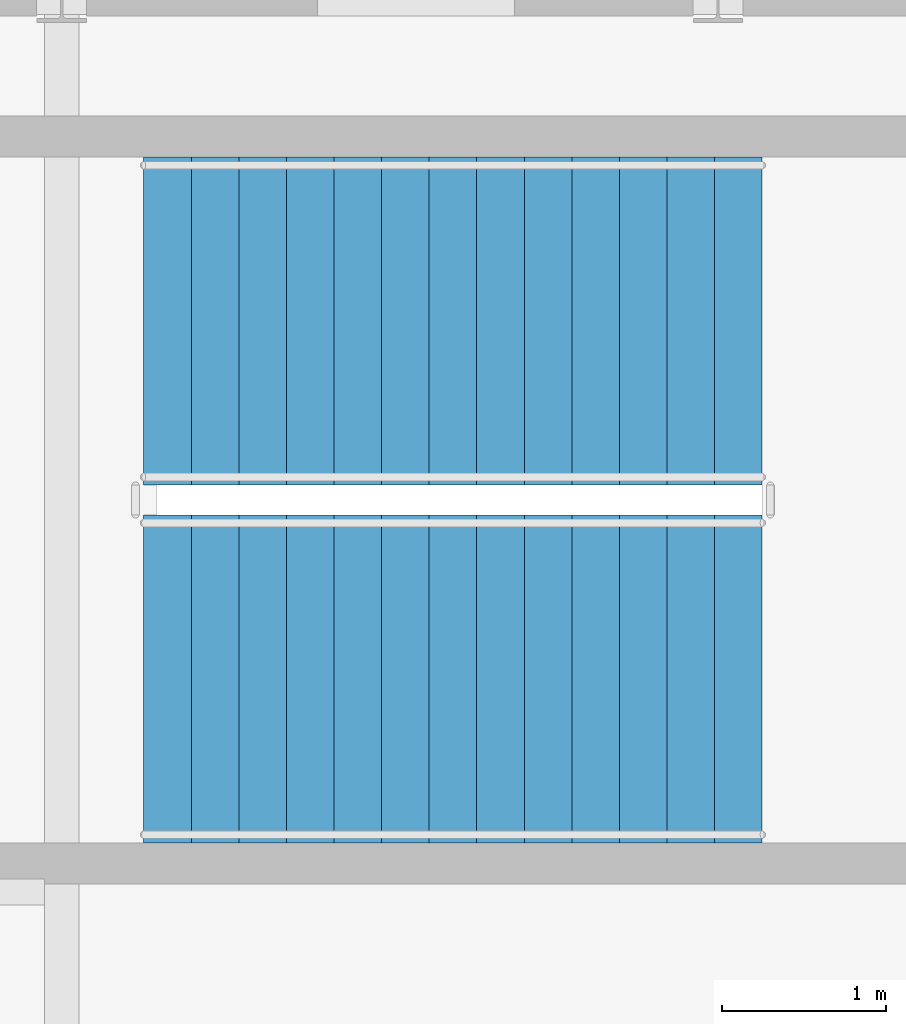
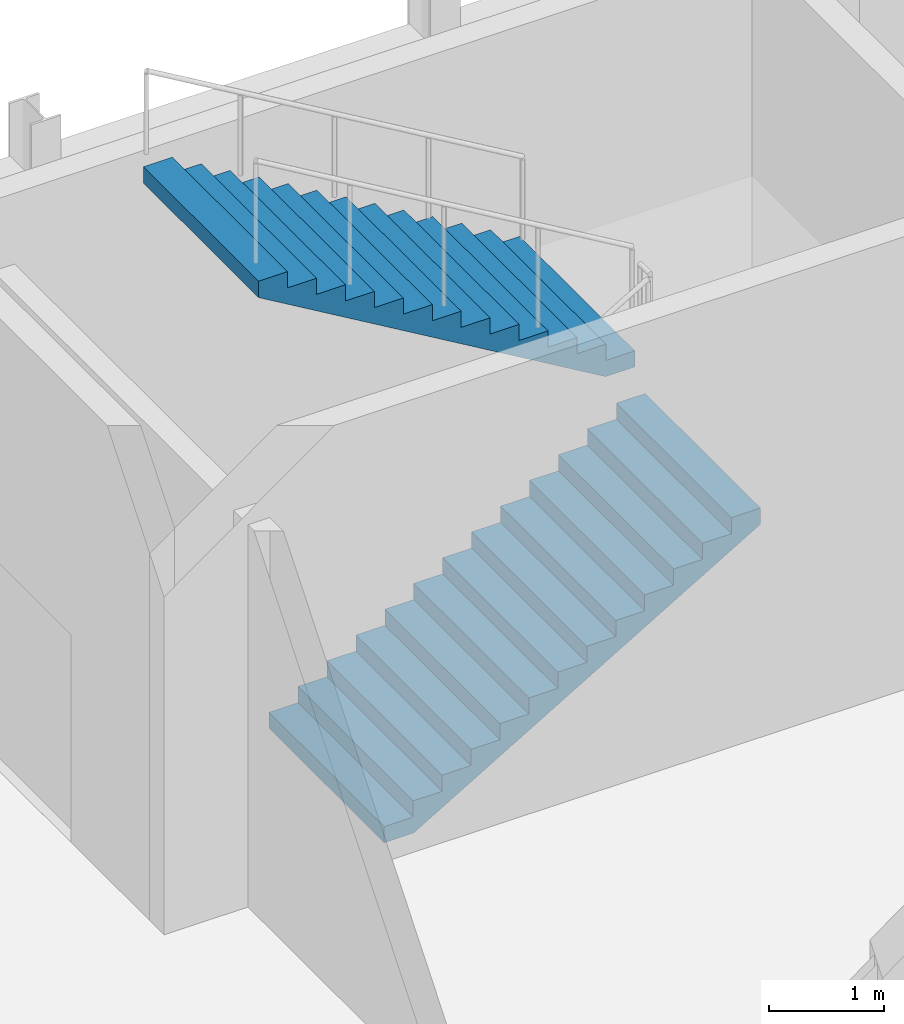
# One storey, part 85 of 101: 2 stair flights, 1 element without a shape of its own.
"""IFC4 building model written with IfcOpenShell, lengths in metres."""

from ifc_helpers import new_model, si_unit, derived_unit, direction, frame, origin, place, context, subcontext, project, spatial, polyline, outline, extrude, material, type_object, element, aggregate, save


model = new_model("IFC4")

# Units and contexts
model_context = context("Model", 3, precision=1e-05, world=origin(), true_north=direction((0.0, 1.0)))
body_context = subcontext(model_context, "Body", "Model", "MODEL_VIEW")
ifc_project = project(units=[si_unit("LENGTHUNIT", "METRE"), si_unit("AREAUNIT", "SQUARE_METRE"), si_unit("VOLUMEUNIT", "CUBIC_METRE"), si_unit("PLANEANGLEUNIT", "RADIAN"), si_unit("MASSUNIT", "GRAM", prefix="KILO"), derived_unit("THERMALTRANSMITTANCEUNIT", [(si_unit("POWERUNIT", "WATT"), 1), (si_unit("LENGTHUNIT", "METRE"), -2), (si_unit("THERMODYNAMICTEMPERATUREUNIT", "KELVIN"), -1)])], contexts=[model_context])

# Site, building, storey
site_placement = place(None, origin())
site = spatial("IfcSite", under=ifc_project, at=site_placement, CompositionType="ELEMENT")
building_placement = place(site_placement, origin())
building = spatial("IfcBuilding", under=site, at=building_placement, Name="Keldorne Ridge Multi-Sports Centre", CompositionType="ELEMENT")
storey_placement = place(building_placement, origin())
storey = spatial("IfcBuildingStorey", under=building, at=storey_placement, Name="L00", CompositionType="ELEMENT", Elevation=0.0)

# Stair, stair flights
ifc_material = material(Name="Concrete C35/45", Category="concrete")
stair_type = type_object("IfcStairType", Name="STR-S01", PredefinedType="HALF_TURN_STAIR", material=ifc_material)
stair_placement = place(storey_placement, origin())
stair = element("IfcStair", 1, at=stair_placement, inside=storey, type_object=stair_type, Name="L00 East Wing Studio Core C3", PredefinedType="HALF_TURN_STAIR")
stair_flight_type = type_object("IfcStairFlightType", Name="STF-F01", PredefinedType="STRAIGHT", material=ifc_material)
stair_flight_1_placement = place(storey_placement, frame((144.5, 112.800048828125, 0.0), z_axis=(0.0, 0.0, 1.0), x_axis=(1.0, 0.0, 0.0)))
stair_flight_1 = element("IfcStairFlight", 2, at=stair_flight_1_placement, type_object=stair_flight_type, Name="ST-03 flight 1", NumberOfRisers=14, NumberOfTreads=13, PredefinedType="STRAIGHT", RiserHeight=0.171428571, TreadLength=0.29, context=body_context, shape_type="SweptSolid", body=[
    extrude(outline(polyline([(0.0, 0.0), (0.0, 0.17138671875), (0.2900390625, 0.17138671875), (0.2900390625, 0.3427734375), (0.580078125, 0.3427734375), (0.580078125, 0.514404296875), (0.8701171875, 0.514404296875), (0.8701171875, 0.685791015625), (1.159912109375, 0.685791015625), (1.159912109375, 0.857177734375), (1.449951171875, 0.857177734375), (1.449951171875, 1.028564453125), (1.739990234375, 1.028564453125), (1.739990234375, 1.199951171875), (2.030029296875, 1.199951171875), (2.030029296875, 1.371337890625), (2.320068359375, 1.371337890625), (2.320068359375, 1.54296875), (2.610107421875, 1.54296875), (2.610107421875, 1.71435546875), (2.89990234375, 1.71435546875), (2.89990234375, 1.8857421875), (3.18994140625, 1.8857421875), (3.18994140625, 2.05712890625), (3.47998046875, 2.05712890625), (3.47998046875, 2.228515625), (3.77001953125, 2.228515625), (3.77001953125, 2.39990234375), (3.77001953125, 2.054443359375), (0.294677734375, 0.0), (0.0, 0.0)])), frame((0.0, 1.0, 0.0), z_axis=(0.0, -1.0, 0.0), x_axis=(1.0, 0.0, 0.0)), (0.0, 0.0, 1.0), 2.0),
])
stair_flight_2_placement = place(storey_placement, frame((148.27001953125, 114.97998046875, 2.39990234375), z_axis=(0.0, 0.0, 1.0), x_axis=(-1.0, 0.0, 0.0)))
stair_flight_2 = element("IfcStairFlight", 3, at=stair_flight_2_placement, type_object=stair_flight_type, Name="ST-03 flight 2", NumberOfRisers=14, NumberOfTreads=13, PredefinedType="STRAIGHT", RiserHeight=0.171428571, TreadLength=0.29, context=body_context, shape_type="SweptSolid", body=[
    extrude(outline(polyline([(0.0, 0.0), (0.0, 0.17138671875), (0.2900390625, 0.17138671875), (0.2900390625, 0.3427734375), (0.580078125, 0.3427734375), (0.580078125, 0.514404296875), (0.8701171875, 0.514404296875), (0.8701171875, 0.685791015625), (1.159912109375, 0.685791015625), (1.159912109375, 0.857177734375), (1.449951171875, 0.857177734375), (1.449951171875, 1.028564453125), (1.739990234375, 1.028564453125), (1.739990234375, 1.199951171875), (2.030029296875, 1.199951171875), (2.030029296875, 1.371337890625), (2.320068359375, 1.371337890625), (2.320068359375, 1.54296875), (2.610107421875, 1.54296875), (2.610107421875, 1.71435546875), (2.89990234375, 1.71435546875), (2.89990234375, 1.8857421875), (3.18994140625, 1.8857421875), (3.18994140625, 2.05712890625), (3.47998046875, 2.05712890625), (3.47998046875, 2.228515625), (3.77001953125, 2.228515625), (3.77001953125, 2.39990234375), (3.77001953125, 2.054443359375), (0.294677734375, 0.0), (0.0, 0.0)])), frame((0.0, 1.0, 0.0), z_axis=(0.0, -1.0, 0.0), x_axis=(1.0, 0.0, 0.0)), (0.0, 0.0, 1.0), 2.0),
])
aggregate(stair, [stair_flight_1, stair_flight_2])

save(model, "model.ifc")
